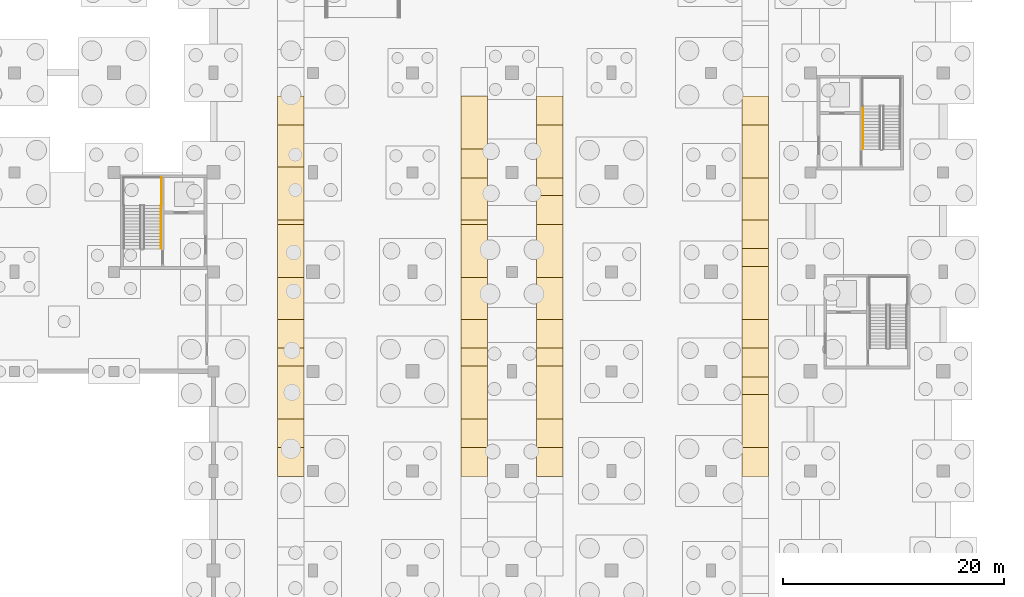
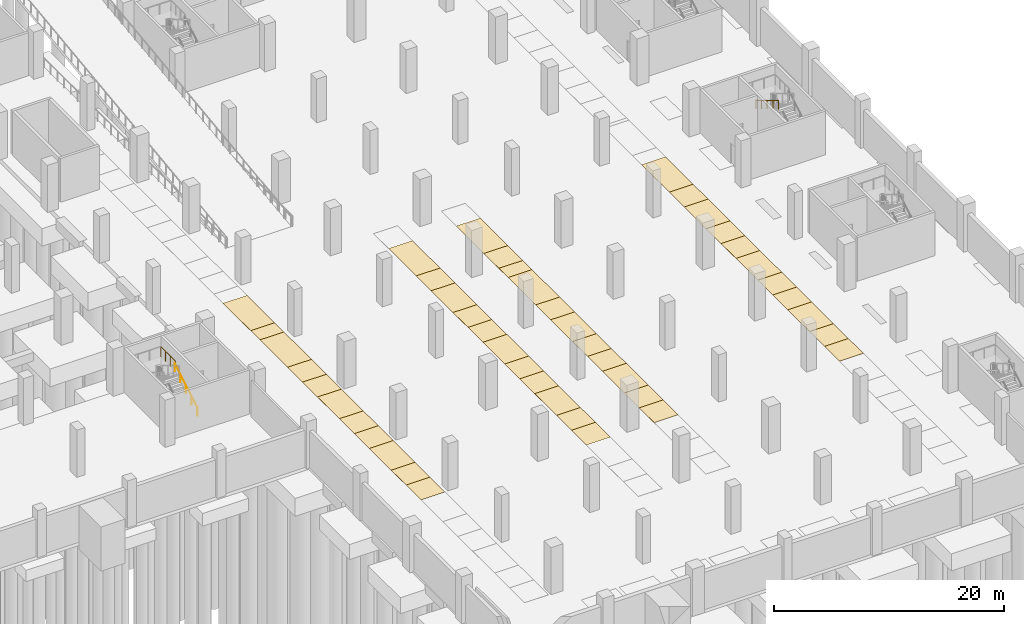
# One storey, part 29 of 37: 44 coverings, 3 railings.
"""IFC4 building model written with IfcOpenShell, lengths in metres."""

from ifc_helpers import new_model, si_unit, direction, frame, origin, origin_2d, place, context, subcontext, project, spatial, polyline, circle, outline, extrude, material, layer, layer_set, type_object, element, save


model = new_model("IFC4")

# Units and contexts
model_context = context("Model", 3, precision=1e-05, world=origin(), true_north=direction((0.0, 1.0)))
body_context = subcontext(model_context, "Body", "Model", "MODEL_VIEW")
ifc_project = project(units=[si_unit("LENGTHUNIT", "METRE"), si_unit("AREAUNIT", "SQUARE_METRE"), si_unit("VOLUMEUNIT", "CUBIC_METRE"), si_unit("PLANEANGLEUNIT", "RADIAN"), si_unit("MASSUNIT", "GRAM", prefix="KILO")], contexts=[model_context])

# Site, building, storey
site_placement = place(None, origin())
site = spatial("IfcSite", under=ifc_project, at=site_placement, CompositionType="ELEMENT")
building_placement = place(site_placement, origin())
building = spatial("IfcBuilding", under=site, at=building_placement, Name="Barlavento Convention Centre", CompositionType="ELEMENT")
storey_placement = place(building_placement, frame((0.0, 0.0, -5.0)))
storey = spatial("IfcBuildingStorey", under=building, at=storey_placement, Name="B1", CompositionType="ELEMENT", Elevation=-5.0)

# Coverings
ifc_material_1 = material(Name="Thermoplastic reflective bay marking")
ifc_layer = layer(ifc_material_1, 0.0048828125)
ifc_layer_set = layer_set([ifc_layer], Name="ARC-COV-PARK-BAY")
covering_type = type_object("IfcCoveringType", Name="ARC-COV-PARK-BAY", PredefinedType="FLOORING", material=ifc_layer_set)
covering_1_placement = place(storey_placement, origin())
element("IfcCovering", 1, at=covering_1_placement, inside=storey, type_object=covering_type, Name="Standard parking bay marking PK-013", PredefinedType="FLOORING", context=body_context, shape_type="SweptSolid", body=[
    extrude(outline(polyline([(131.800048828125, 26.5), (134.199951171875, 26.5), (134.199951171875, 31.300048828125), (131.800048828125, 31.300048828125), (131.800048828125, 26.5)])), origin(), (0.0, 0.0, 1.0), 0.0048828125),
])
covering_2_placement = place(storey_placement, origin())
element("IfcCovering", 2, at=covering_2_placement, inside=storey, type_object=covering_type, Name="Standard parking bay marking PK-014", PredefinedType="FLOORING", context=body_context, shape_type="SweptSolid", body=[
    extrude(outline(polyline([(173.800048828125, 26.5), (176.199951171875, 26.5), (176.199951171875, 31.300048828125), (173.800048828125, 31.300048828125), (173.800048828125, 26.5)])), origin(), (0.0, 0.0, 1.0), 0.0048828125),
])
covering_3_placement = place(storey_placement, origin())
element("IfcCovering", 3, at=covering_3_placement, inside=storey, type_object=covering_type, Name="Standard parking bay marking PK-015", PredefinedType="FLOORING", context=body_context, shape_type="SweptSolid", body=[
    extrude(outline(polyline([(131.800048828125, 29.10009765625), (134.199951171875, 29.10009765625), (134.199951171875, 33.89990234375), (131.800048828125, 33.89990234375), (131.800048828125, 29.10009765625)])), origin(), (0.0, 0.0, 1.0), 0.0048828125),
])
covering_4_placement = place(storey_placement, origin())
element("IfcCovering", 4, at=covering_4_placement, inside=storey, type_object=covering_type, Name="Standard parking bay marking PK-016", PredefinedType="FLOORING", context=body_context, shape_type="SweptSolid", body=[
    extrude(outline(polyline([(173.800048828125, 29.10009765625), (176.199951171875, 29.10009765625), (176.199951171875, 33.89990234375), (173.800048828125, 33.89990234375), (173.800048828125, 29.10009765625)])), origin(), (0.0, 0.0, 1.0), 0.0048828125),
])
covering_5_placement = place(storey_placement, origin())
element("IfcCovering", 5, at=covering_5_placement, inside=storey, type_object=covering_type, Name="Standard parking bay marking PK-017", PredefinedType="FLOORING", context=body_context, shape_type="SweptSolid", body=[
    extrude(outline(polyline([(131.800048828125, 31.699951171875), (134.199951171875, 31.699951171875), (134.199951171875, 36.5), (131.800048828125, 36.5), (131.800048828125, 31.699951171875)])), origin(), (0.0, 0.0, 1.0), 0.0048828125),
])
covering_6_placement = place(storey_placement, origin())
element("IfcCovering", 6, at=covering_6_placement, inside=storey, type_object=covering_type, Name="Standard parking bay marking PK-018", PredefinedType="FLOORING", context=body_context, shape_type="SweptSolid", body=[
    extrude(outline(polyline([(173.800048828125, 31.699951171875), (176.199951171875, 31.699951171875), (176.199951171875, 36.5), (173.800048828125, 36.5), (173.800048828125, 31.699951171875)])), origin(), (0.0, 0.0, 1.0), 0.0048828125),
])
covering_7_placement = place(storey_placement, origin())
element("IfcCovering", 7, at=covering_7_placement, inside=storey, type_object=covering_type, Name="Standard parking bay marking PK-019", PredefinedType="FLOORING", context=body_context, shape_type="SweptSolid", body=[
    extrude(outline(polyline([(131.800048828125, 35.5), (134.199951171875, 35.5), (134.199951171875, 40.300048828125), (131.800048828125, 40.300048828125), (131.800048828125, 35.5)])), origin(), (0.0, 0.0, 1.0), 0.0048828125),
])
covering_8_placement = place(storey_placement, origin())
element("IfcCovering", 8, at=covering_8_placement, inside=storey, type_object=covering_type, Name="Standard parking bay marking PK-020", PredefinedType="FLOORING", context=body_context, shape_type="SweptSolid", body=[
    extrude(outline(polyline([(173.800048828125, 35.5), (176.199951171875, 35.5), (176.199951171875, 40.300048828125), (173.800048828125, 40.300048828125), (173.800048828125, 35.5)])), origin(), (0.0, 0.0, 1.0), 0.0048828125),
])
covering_9_placement = place(storey_placement, origin())
element("IfcCovering", 9, at=covering_9_placement, inside=storey, type_object=covering_type, Name="Standard parking bay marking PK-021", PredefinedType="FLOORING", context=body_context, shape_type="SweptSolid", body=[
    extrude(outline(polyline([(131.800048828125, 38.10009765625), (134.199951171875, 38.10009765625), (134.199951171875, 42.89990234375), (131.800048828125, 42.89990234375), (131.800048828125, 38.10009765625)])), origin(), (0.0, 0.0, 1.0), 0.0048828125),
])
covering_10_placement = place(storey_placement, origin())
element("IfcCovering", 10, at=covering_10_placement, inside=storey, type_object=covering_type, Name="Standard parking bay marking PK-022", PredefinedType="FLOORING", context=body_context, shape_type="SweptSolid", body=[
    extrude(outline(polyline([(173.800048828125, 38.10009765625), (176.199951171875, 38.10009765625), (176.199951171875, 42.89990234375), (173.800048828125, 42.89990234375), (173.800048828125, 38.10009765625)])), origin(), (0.0, 0.0, 1.0), 0.0048828125),
])
covering_11_placement = place(storey_placement, origin())
element("IfcCovering", 11, at=covering_11_placement, inside=storey, type_object=covering_type, Name="Standard parking bay marking PK-023", PredefinedType="FLOORING", context=body_context, shape_type="SweptSolid", body=[
    extrude(outline(polyline([(131.800048828125, 40.699951171875), (134.199951171875, 40.699951171875), (134.199951171875, 45.5), (131.800048828125, 45.5), (131.800048828125, 40.699951171875)])), origin(), (0.0, 0.0, 1.0), 0.0048828125),
])
covering_12_placement = place(storey_placement, origin())
element("IfcCovering", 12, at=covering_12_placement, inside=storey, type_object=covering_type, Name="Standard parking bay marking PK-024", PredefinedType="FLOORING", context=body_context, shape_type="SweptSolid", body=[
    extrude(outline(polyline([(173.800048828125, 40.699951171875), (176.199951171875, 40.699951171875), (176.199951171875, 45.5), (173.800048828125, 45.5), (173.800048828125, 40.699951171875)])), origin(), (0.0, 0.0, 1.0), 0.0048828125),
])
covering_13_placement = place(storey_placement, origin())
element("IfcCovering", 13, at=covering_13_placement, inside=storey, type_object=covering_type, Name="Standard parking bay marking PK-025", PredefinedType="FLOORING", context=body_context, shape_type="SweptSolid", body=[
    extrude(outline(polyline([(131.800048828125, 44.5), (134.199951171875, 44.5), (134.199951171875, 49.300048828125), (131.800048828125, 49.300048828125), (131.800048828125, 44.5)])), origin(), (0.0, 0.0, 1.0), 0.0048828125),
])
covering_14_placement = place(storey_placement, origin())
element("IfcCovering", 14, at=covering_14_placement, inside=storey, type_object=covering_type, Name="Standard parking bay marking PK-026", PredefinedType="FLOORING", context=body_context, shape_type="SweptSolid", body=[
    extrude(outline(polyline([(173.800048828125, 44.5), (176.199951171875, 44.5), (176.199951171875, 49.300048828125), (173.800048828125, 49.300048828125), (173.800048828125, 44.5)])), origin(), (0.0, 0.0, 1.0), 0.0048828125),
])
covering_15_placement = place(storey_placement, origin())
element("IfcCovering", 15, at=covering_15_placement, inside=storey, type_object=covering_type, Name="Standard parking bay marking PK-027", PredefinedType="FLOORING", context=body_context, shape_type="SweptSolid", body=[
    extrude(outline(polyline([(131.800048828125, 47.10009765625), (134.199951171875, 47.10009765625), (134.199951171875, 51.89990234375), (131.800048828125, 51.89990234375), (131.800048828125, 47.10009765625)])), origin(), (0.0, 0.0, 1.0), 0.0048828125),
])
covering_16_placement = place(storey_placement, origin())
element("IfcCovering", 16, at=covering_16_placement, inside=storey, type_object=covering_type, Name="Standard parking bay marking PK-028", PredefinedType="FLOORING", context=body_context, shape_type="SweptSolid", body=[
    extrude(outline(polyline([(173.800048828125, 47.10009765625), (176.199951171875, 47.10009765625), (176.199951171875, 51.89990234375), (173.800048828125, 51.89990234375), (173.800048828125, 47.10009765625)])), origin(), (0.0, 0.0, 1.0), 0.0048828125),
])
covering_17_placement = place(storey_placement, origin())
element("IfcCovering", 17, at=covering_17_placement, inside=storey, type_object=covering_type, Name="Standard parking bay marking PK-029", PredefinedType="FLOORING", context=body_context, shape_type="SweptSolid", body=[
    extrude(outline(polyline([(131.800048828125, 49.699951171875), (134.199951171875, 49.699951171875), (134.199951171875, 54.5), (131.800048828125, 54.5), (131.800048828125, 49.699951171875)])), origin(), (0.0, 0.0, 1.0), 0.0048828125),
])
covering_18_placement = place(storey_placement, origin())
element("IfcCovering", 18, at=covering_18_placement, inside=storey, type_object=covering_type, Name="Standard parking bay marking PK-030", PredefinedType="FLOORING", context=body_context, shape_type="SweptSolid", body=[
    extrude(outline(polyline([(173.800048828125, 49.699951171875), (176.199951171875, 49.699951171875), (176.199951171875, 54.5), (173.800048828125, 54.5), (173.800048828125, 49.699951171875)])), origin(), (0.0, 0.0, 1.0), 0.0048828125),
])
covering_19_placement = place(storey_placement, origin())
element("IfcCovering", 19, at=covering_19_placement, inside=storey, type_object=covering_type, Name="Standard parking bay marking PK-031", PredefinedType="FLOORING", context=body_context, shape_type="SweptSolid", body=[
    extrude(outline(polyline([(131.800048828125, 53.5), (134.199951171875, 53.5), (134.199951171875, 58.300048828125), (131.800048828125, 58.300048828125), (131.800048828125, 53.5)])), origin(), (0.0, 0.0, 1.0), 0.0048828125),
])
covering_20_placement = place(storey_placement, origin())
element("IfcCovering", 20, at=covering_20_placement, inside=storey, type_object=covering_type, Name="Standard parking bay marking PK-032", PredefinedType="FLOORING", context=body_context, shape_type="SweptSolid", body=[
    extrude(outline(polyline([(173.800048828125, 53.5), (176.199951171875, 53.5), (176.199951171875, 58.300048828125), (173.800048828125, 58.300048828125), (173.800048828125, 53.5)])), origin(), (0.0, 0.0, 1.0), 0.0048828125),
])
covering_21_placement = place(storey_placement, origin())
element("IfcCovering", 21, at=covering_21_placement, inside=storey, type_object=covering_type, Name="Standard parking bay marking PK-033", PredefinedType="FLOORING", context=body_context, shape_type="SweptSolid", body=[
    extrude(outline(polyline([(131.800048828125, 56.10009765625), (134.199951171875, 56.10009765625), (134.199951171875, 60.89990234375), (131.800048828125, 60.89990234375), (131.800048828125, 56.10009765625)])), origin(), (0.0, 0.0, 1.0), 0.0048828125),
])
covering_22_placement = place(storey_placement, origin())
element("IfcCovering", 22, at=covering_22_placement, inside=storey, type_object=covering_type, Name="Standard parking bay marking PK-034", PredefinedType="FLOORING", context=body_context, shape_type="SweptSolid", body=[
    extrude(outline(polyline([(173.800048828125, 56.10009765625), (176.199951171875, 56.10009765625), (176.199951171875, 60.89990234375), (173.800048828125, 60.89990234375), (173.800048828125, 56.10009765625)])), origin(), (0.0, 0.0, 1.0), 0.0048828125),
])
covering_23_placement = place(storey_placement, origin())
element("IfcCovering", 23, at=covering_23_placement, inside=storey, type_object=covering_type, Name="Standard parking bay marking PK-061", PredefinedType="FLOORING", context=body_context, shape_type="SweptSolid", body=[
    extrude(outline(polyline([(148.39990234375, 26.5), (150.800048828125, 26.5), (150.800048828125, 31.300048828125), (148.39990234375, 31.300048828125), (148.39990234375, 26.5)])), origin(), (0.0, 0.0, 1.0), 0.0048828125),
])
covering_24_placement = place(storey_placement, origin())
element("IfcCovering", 24, at=covering_24_placement, inside=storey, type_object=covering_type, Name="Standard parking bay marking PK-062", PredefinedType="FLOORING", context=body_context, shape_type="SweptSolid", body=[
    extrude(outline(polyline([(155.199951171875, 26.5), (157.60009765625, 26.5), (157.60009765625, 31.300048828125), (155.199951171875, 31.300048828125), (155.199951171875, 26.5)])), origin(), (0.0, 0.0, 1.0), 0.0048828125),
])
covering_25_placement = place(storey_placement, origin())
element("IfcCovering", 25, at=covering_25_placement, inside=storey, type_object=covering_type, Name="Standard parking bay marking PK-063", PredefinedType="FLOORING", context=body_context, shape_type="SweptSolid", body=[
    extrude(outline(polyline([(148.39990234375, 29.10009765625), (150.800048828125, 29.10009765625), (150.800048828125, 33.89990234375), (148.39990234375, 33.89990234375), (148.39990234375, 29.10009765625)])), origin(), (0.0, 0.0, 1.0), 0.0048828125),
])
covering_26_placement = place(storey_placement, origin())
element("IfcCovering", 26, at=covering_26_placement, inside=storey, type_object=covering_type, Name="Standard parking bay marking PK-064", PredefinedType="FLOORING", context=body_context, shape_type="SweptSolid", body=[
    extrude(outline(polyline([(155.199951171875, 29.10009765625), (157.60009765625, 29.10009765625), (157.60009765625, 33.89990234375), (155.199951171875, 33.89990234375), (155.199951171875, 29.10009765625)])), origin(), (0.0, 0.0, 1.0), 0.0048828125),
])
covering_27_placement = place(storey_placement, origin())
element("IfcCovering", 27, at=covering_27_placement, inside=storey, type_object=covering_type, Name="Standard parking bay marking PK-065", PredefinedType="FLOORING", context=body_context, shape_type="SweptSolid", body=[
    extrude(outline(polyline([(148.39990234375, 31.699951171875), (150.800048828125, 31.699951171875), (150.800048828125, 36.5), (148.39990234375, 36.5), (148.39990234375, 31.699951171875)])), origin(), (0.0, 0.0, 1.0), 0.0048828125),
])
covering_28_placement = place(storey_placement, origin())
element("IfcCovering", 28, at=covering_28_placement, inside=storey, type_object=covering_type, Name="Standard parking bay marking PK-066", PredefinedType="FLOORING", context=body_context, shape_type="SweptSolid", body=[
    extrude(outline(polyline([(155.199951171875, 31.699951171875), (157.60009765625, 31.699951171875), (157.60009765625, 36.5), (155.199951171875, 36.5), (155.199951171875, 31.699951171875)])), origin(), (0.0, 0.0, 1.0), 0.0048828125),
])
covering_29_placement = place(storey_placement, origin())
element("IfcCovering", 29, at=covering_29_placement, inside=storey, type_object=covering_type, Name="Standard parking bay marking PK-067", PredefinedType="FLOORING", context=body_context, shape_type="SweptSolid", body=[
    extrude(outline(polyline([(148.39990234375, 35.5), (150.800048828125, 35.5), (150.800048828125, 40.300048828125), (148.39990234375, 40.300048828125), (148.39990234375, 35.5)])), origin(), (0.0, 0.0, 1.0), 0.0048828125),
])
covering_30_placement = place(storey_placement, origin())
element("IfcCovering", 30, at=covering_30_placement, inside=storey, type_object=covering_type, Name="Standard parking bay marking PK-068", PredefinedType="FLOORING", context=body_context, shape_type="SweptSolid", body=[
    extrude(outline(polyline([(155.199951171875, 35.5), (157.60009765625, 35.5), (157.60009765625, 40.300048828125), (155.199951171875, 40.300048828125), (155.199951171875, 35.5)])), origin(), (0.0, 0.0, 1.0), 0.0048828125),
])
covering_31_placement = place(storey_placement, origin())
element("IfcCovering", 31, at=covering_31_placement, inside=storey, type_object=covering_type, Name="Standard parking bay marking PK-069", PredefinedType="FLOORING", context=body_context, shape_type="SweptSolid", body=[
    extrude(outline(polyline([(148.39990234375, 38.10009765625), (150.800048828125, 38.10009765625), (150.800048828125, 42.89990234375), (148.39990234375, 42.89990234375), (148.39990234375, 38.10009765625)])), origin(), (0.0, 0.0, 1.0), 0.0048828125),
])
covering_32_placement = place(storey_placement, origin())
element("IfcCovering", 32, at=covering_32_placement, inside=storey, type_object=covering_type, Name="Standard parking bay marking PK-070", PredefinedType="FLOORING", context=body_context, shape_type="SweptSolid", body=[
    extrude(outline(polyline([(155.199951171875, 38.10009765625), (157.60009765625, 38.10009765625), (157.60009765625, 42.89990234375), (155.199951171875, 42.89990234375), (155.199951171875, 38.10009765625)])), origin(), (0.0, 0.0, 1.0), 0.0048828125),
])
covering_33_placement = place(storey_placement, origin())
element("IfcCovering", 33, at=covering_33_placement, inside=storey, type_object=covering_type, Name="Standard parking bay marking PK-071", PredefinedType="FLOORING", context=body_context, shape_type="SweptSolid", body=[
    extrude(outline(polyline([(148.39990234375, 40.699951171875), (150.800048828125, 40.699951171875), (150.800048828125, 45.5), (148.39990234375, 45.5), (148.39990234375, 40.699951171875)])), origin(), (0.0, 0.0, 1.0), 0.0048828125),
])
covering_34_placement = place(storey_placement, origin())
element("IfcCovering", 34, at=covering_34_placement, inside=storey, type_object=covering_type, Name="Standard parking bay marking PK-072", PredefinedType="FLOORING", context=body_context, shape_type="SweptSolid", body=[
    extrude(outline(polyline([(155.199951171875, 40.699951171875), (157.60009765625, 40.699951171875), (157.60009765625, 45.5), (155.199951171875, 45.5), (155.199951171875, 40.699951171875)])), origin(), (0.0, 0.0, 1.0), 0.0048828125),
])
covering_35_placement = place(storey_placement, origin())
element("IfcCovering", 35, at=covering_35_placement, inside=storey, type_object=covering_type, Name="Standard parking bay marking PK-073", PredefinedType="FLOORING", context=body_context, shape_type="SweptSolid", body=[
    extrude(outline(polyline([(148.39990234375, 44.5), (150.800048828125, 44.5), (150.800048828125, 49.300048828125), (148.39990234375, 49.300048828125), (148.39990234375, 44.5)])), origin(), (0.0, 0.0, 1.0), 0.0048828125),
])
covering_36_placement = place(storey_placement, origin())
element("IfcCovering", 36, at=covering_36_placement, inside=storey, type_object=covering_type, Name="Standard parking bay marking PK-074", PredefinedType="FLOORING", context=body_context, shape_type="SweptSolid", body=[
    extrude(outline(polyline([(155.199951171875, 44.5), (157.60009765625, 44.5), (157.60009765625, 49.300048828125), (155.199951171875, 49.300048828125), (155.199951171875, 44.5)])), origin(), (0.0, 0.0, 1.0), 0.0048828125),
])
covering_37_placement = place(storey_placement, origin())
element("IfcCovering", 37, at=covering_37_placement, inside=storey, type_object=covering_type, Name="Standard parking bay marking PK-075", PredefinedType="FLOORING", context=body_context, shape_type="SweptSolid", body=[
    extrude(outline(polyline([(148.39990234375, 47.10009765625), (150.800048828125, 47.10009765625), (150.800048828125, 51.89990234375), (148.39990234375, 51.89990234375), (148.39990234375, 47.10009765625)])), origin(), (0.0, 0.0, 1.0), 0.0048828125),
])
covering_38_placement = place(storey_placement, origin())
element("IfcCovering", 38, at=covering_38_placement, inside=storey, type_object=covering_type, Name="Standard parking bay marking PK-076", PredefinedType="FLOORING", context=body_context, shape_type="SweptSolid", body=[
    extrude(outline(polyline([(155.199951171875, 47.10009765625), (157.60009765625, 47.10009765625), (157.60009765625, 51.89990234375), (155.199951171875, 51.89990234375), (155.199951171875, 47.10009765625)])), origin(), (0.0, 0.0, 1.0), 0.0048828125),
])
covering_39_placement = place(storey_placement, origin())
element("IfcCovering", 39, at=covering_39_placement, inside=storey, type_object=covering_type, Name="Standard parking bay marking PK-077", PredefinedType="FLOORING", context=body_context, shape_type="SweptSolid", body=[
    extrude(outline(polyline([(148.39990234375, 49.699951171875), (150.800048828125, 49.699951171875), (150.800048828125, 54.5), (148.39990234375, 54.5), (148.39990234375, 49.699951171875)])), origin(), (0.0, 0.0, 1.0), 0.0048828125),
])
covering_40_placement = place(storey_placement, origin())
element("IfcCovering", 40, at=covering_40_placement, inside=storey, type_object=covering_type, Name="Standard parking bay marking PK-078", PredefinedType="FLOORING", context=body_context, shape_type="SweptSolid", body=[
    extrude(outline(polyline([(155.199951171875, 49.699951171875), (157.60009765625, 49.699951171875), (157.60009765625, 54.5), (155.199951171875, 54.5), (155.199951171875, 49.699951171875)])), origin(), (0.0, 0.0, 1.0), 0.0048828125),
])
covering_41_placement = place(storey_placement, origin())
element("IfcCovering", 41, at=covering_41_placement, inside=storey, type_object=covering_type, Name="Standard parking bay marking PK-079", PredefinedType="FLOORING", context=body_context, shape_type="SweptSolid", body=[
    extrude(outline(polyline([(148.39990234375, 53.5), (150.800048828125, 53.5), (150.800048828125, 58.300048828125), (148.39990234375, 58.300048828125), (148.39990234375, 53.5)])), origin(), (0.0, 0.0, 1.0), 0.0048828125),
])
covering_42_placement = place(storey_placement, origin())
element("IfcCovering", 42, at=covering_42_placement, inside=storey, type_object=covering_type, Name="Standard parking bay marking PK-080", PredefinedType="FLOORING", context=body_context, shape_type="SweptSolid", body=[
    extrude(outline(polyline([(155.199951171875, 53.5), (157.60009765625, 53.5), (157.60009765625, 58.300048828125), (155.199951171875, 58.300048828125), (155.199951171875, 53.5)])), origin(), (0.0, 0.0, 1.0), 0.0048828125),
])
covering_43_placement = place(storey_placement, origin())
element("IfcCovering", 43, at=covering_43_placement, inside=storey, type_object=covering_type, Name="Standard parking bay marking PK-081", PredefinedType="FLOORING", context=body_context, shape_type="SweptSolid", body=[
    extrude(outline(polyline([(148.39990234375, 56.10009765625), (150.800048828125, 56.10009765625), (150.800048828125, 60.89990234375), (148.39990234375, 60.89990234375), (148.39990234375, 56.10009765625)])), origin(), (0.0, 0.0, 1.0), 0.0048828125),
])
covering_44_placement = place(storey_placement, origin())
element("IfcCovering", 44, at=covering_44_placement, inside=storey, type_object=covering_type, Name="Standard parking bay marking PK-082", PredefinedType="FLOORING", context=body_context, shape_type="SweptSolid", body=[
    extrude(outline(polyline([(155.199951171875, 56.10009765625), (157.60009765625, 56.10009765625), (157.60009765625, 60.89990234375), (155.199951171875, 60.89990234375), (155.199951171875, 56.10009765625)])), origin(), (0.0, 0.0, 1.0), 0.0048828125),
])

# Railings
ifc_material_2 = material(Name="Stainless steel and laminated glass balustrade", Category="steel")
railing_type_1 = type_object("IfcRailingType", Name="ARC-RAL-BAL-1100", PredefinedType="BALUSTRADE", material=ifc_material_2)
railing_1_placement = place(storey_placement, frame((121.2900390625, 51.010009765625, 2.5)))
element("IfcRailing", 45, at=railing_1_placement, inside=storey, type_object=railing_type_1, Name="B1 landing guard GR01", PredefinedType="BALUSTRADE", context=body_context, shape_type="SweptSolid", body=[
    extrude(circle(Radius=0.02392578125, at=origin_2d()), frame((0.0, 0.0, 1.076171875), z_axis=(0.0, 1.0, 0.0), x_axis=(-1.0, 0.0, 0.0)), (0.0, 0.0, 1.0), 2.52001953125),
    extrude(circle(Radius=0.02099609375, at=origin_2d()), origin(), (0.0, 0.0, 1.0), 1.052001953125),
    extrude(circle(Radius=0.02099609375, at=origin_2d()), frame((0.0, 0.840087890625, 0.0)), (0.0, 0.0, 1.0), 1.052001953125),
    extrude(circle(Radius=0.02099609375, at=origin_2d()), frame((0.0, 1.679931640625, 0.0)), (0.0, 0.0, 1.0), 1.052001953125),
    extrude(circle(Radius=0.02099609375, at=origin_2d()), frame((0.0, 2.52001953125, 0.0)), (0.0, 0.0, 1.0), 1.052001953125),
])
ifc_material_3 = material(Name="Brushed stainless steel tubular handrail", Category="steel")
railing_type_2 = type_object("IfcRailingType", Name="ARC-RAL-HR-900", PredefinedType="HANDRAIL", material=ifc_material_3)
railing_2_placement = place(storey_placement, frame((121.239990234375, 47.090087890625, 0.166748046875)))
element("IfcRailing", 46, at=railing_2_placement, inside=storey, type_object=railing_type_2, Name="B1 ST04 stair handrail 1", PredefinedType="HANDRAIL", context=body_context, shape_type="SweptSolid", body=[
    extrude(circle(Radius=0.02392578125, at=origin_2d()), frame((0.0, 0.0, 0.8759765625), z_axis=(0.0, 0.859296244711, 0.511478214419), x_axis=(-1.0, 0.0, 0.0)), (0.0, 0.0, 1.0), 4.561767578125),
    extrude(circle(Radius=0.02099609375, at=origin_2d()), origin(), (0.0, 0.0, 1.0), 0.851806640625),
    extrude(circle(Radius=0.02099609375, at=origin_2d()), frame((0.0, 0.97998046875, 0.583251953125)), (0.0, 0.0, 1.0), 0.851806640625),
    extrude(circle(Radius=0.02099609375, at=origin_2d()), frame((0.0, 1.9599609375, 1.16650390625)), (0.0, 0.0, 1.0), 0.851806640625),
    extrude(circle(Radius=0.02099609375, at=origin_2d()), frame((0.0, 2.93994140625, 1.75)), (0.0, 0.0, 1.0), 0.851806640625),
    extrude(circle(Radius=0.02099609375, at=origin_2d()), frame((0.0, 3.919921875, 2.333251953125)), (0.0, 0.0, 1.0), 0.851806640625),
])
railing_3_placement = place(storey_placement, frame((184.760009765625, 60.010009765625, 2.666748046875)))
element("IfcRailing", 47, at=railing_3_placement, inside=storey, type_object=railing_type_2, Name="B1 ST05 stair handrail 2", PredefinedType="HANDRAIL", context=body_context, shape_type="SweptSolid", body=[
    extrude(circle(Radius=0.02392578125, at=origin_2d()), frame((0.0, 0.0, 0.8759765625), z_axis=(0.0, -0.859296244711, 0.511478214419), x_axis=(1.0, 0.0, 0.0)), (0.0, 0.0, 1.0), 4.561767578125),
    extrude(circle(Radius=0.02099609375, at=origin_2d()), origin(), (0.0, 0.0, 1.0), 0.851806640625),
    extrude(circle(Radius=0.02099609375, at=origin_2d()), frame((0.0, -0.97998046875, 0.583251953125)), (0.0, 0.0, 1.0), 0.851806640625),
    extrude(circle(Radius=0.02099609375, at=origin_2d()), frame((0.0, -1.9599609375, 1.16650390625)), (0.0, 0.0, 1.0), 0.851806640625),
    extrude(circle(Radius=0.02099609375, at=origin_2d()), frame((0.0, -2.93994140625, 1.75)), (0.0, 0.0, 1.0), 0.851806640625),
    extrude(circle(Radius=0.02099609375, at=origin_2d()), frame((0.0, -3.919921875, 2.333251953125)), (0.0, 0.0, 1.0), 0.851806640625),
])

save(model, "model.ifc")
